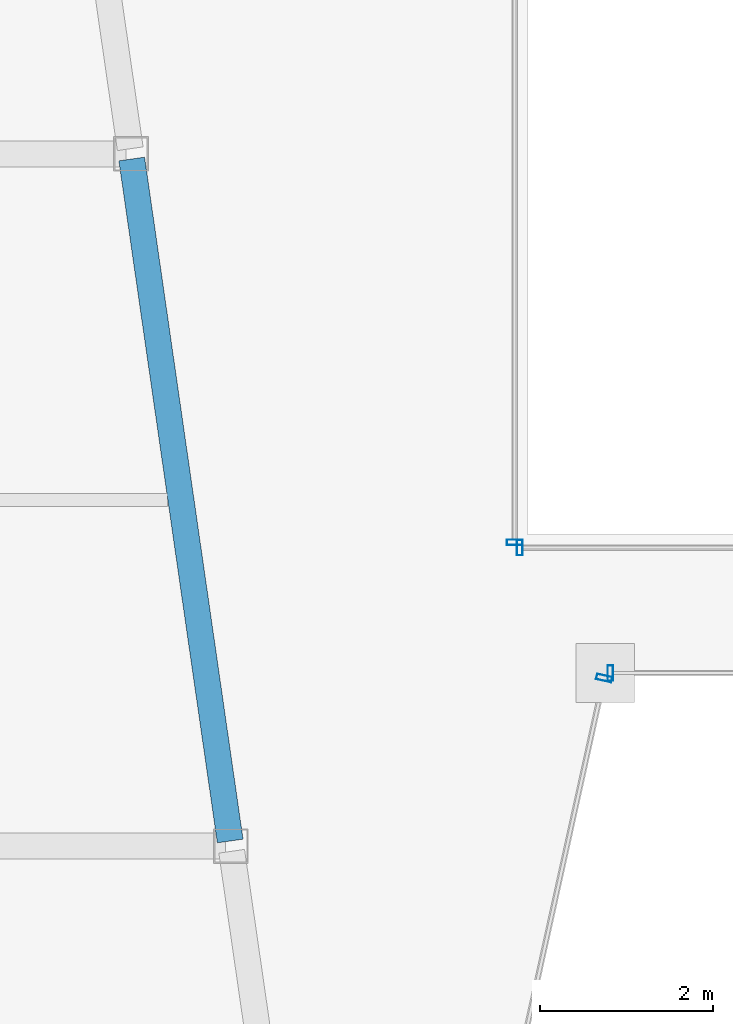
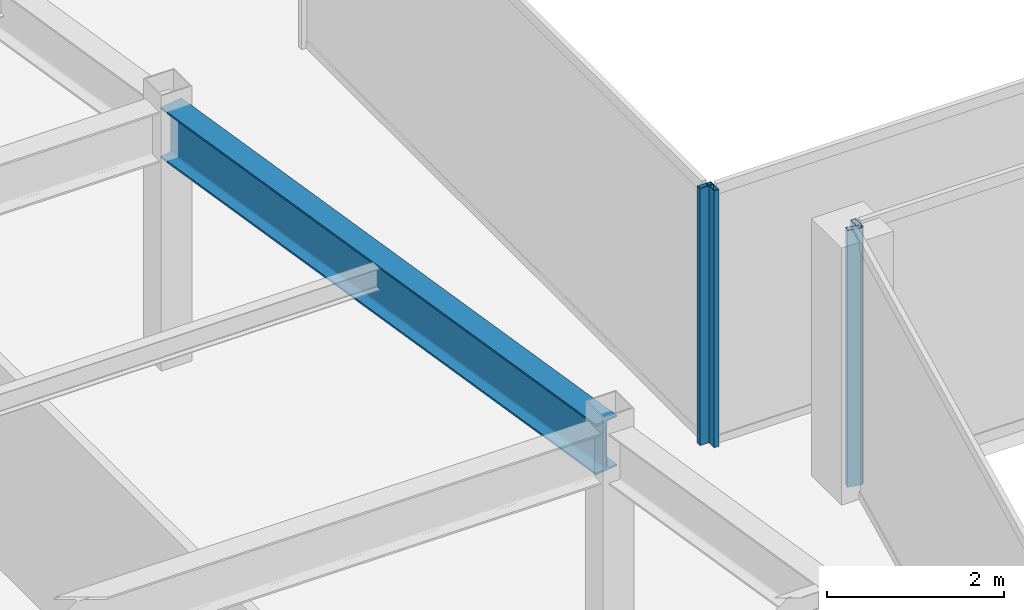
# One storey, part 7 of 35: 4 members, 1 beam, 4 elements without a shape of their own.
"""IFC4 building model written with IfcOpenShell, lengths in metres."""

from ifc_helpers import new_model, si_unit, direction, frame, origin, origin_2d, place, context, subcontext, project, spatial, hollow_rectangle, i_section, extrude, material, material_profile, profile_set, type_object, element, aggregate, save


model = new_model("IFC4")

# Units and contexts
model_context = context("Model", 3, precision=1e-05, world=origin(), true_north=direction((0.0, 1.0)))
body_context = subcontext(model_context, "Body", "Model", "MODEL_VIEW")
ifc_project = project(units=[si_unit("LENGTHUNIT", "METRE"), si_unit("AREAUNIT", "SQUARE_METRE"), si_unit("VOLUMEUNIT", "CUBIC_METRE"), si_unit("PLANEANGLEUNIT", "RADIAN"), si_unit("MASSUNIT", "GRAM", prefix="KILO")], contexts=[model_context])

# Site, building, storey
site_placement = place(None, origin())
site = spatial("IfcSite", under=ifc_project, at=site_placement, CompositionType="ELEMENT")
building_placement = place(site_placement, origin())
building = spatial("IfcBuilding", under=site, at=building_placement, Name="Saevonmaru Cultural Tower", CompositionType="ELEMENT")
storey_placement = place(building_placement, frame((0.0, 0.0, 213.199951171875)))
storey = spatial("IfcBuildingStorey", under=building, at=storey_placement, Name="L49", CompositionType="ELEMENT", Elevation=213.199951171875)

# Beam
ifc_material_1 = material(Name="Steel SM355", Category="steel")
ifc_material_profile_1 = material_profile(ifc_material_1, i_section(OverallWidth=0.300048828125, OverallDepth=0.699951171875, WebThickness=0.012939453125, FlangeThickness=0.02392578125, FilletRadius=0.02587890625, at=origin_2d()), Name="H-700x300x13x24")
ifc_profile_set_1 = profile_set([ifc_material_profile_1], Name="Steel SM355")
beam_type = type_object("IfcBeamType", Name="BM-G-H700", PredefinedType="BEAM", material=ifc_profile_set_1)
beam_placement = place(storey_placement, frame((20.763427734375, 24.059326171875, 3.199951171875), z_axis=(-0.142902032203, 0.989736838353, 0.0), x_axis=(-0.989736838353, -0.142902032203, 0.0)))
element("IfcBeam", 1, at=beam_placement, inside=storey, type_object=beam_type, Name="L49 West Atrium Girder 2", PredefinedType="BEAM", context=body_context, shape_type="SweptSolid", body=[
    extrude(i_section(OverallWidth=0.300048828125, OverallDepth=0.699951171875, WebThickness=0.012939453125, FlangeThickness=0.02392578125, FilletRadius=0.02587890625, at=origin_2d()), origin(), (0.0, 0.0, 1.0), 7.963134765625),
])

# Curtain wall, member
ifc_material_2 = material(Name="Satin Bronze Anodised Aluminium", Category="aluminium")
curtain_wall_type_1 = type_object("IfcCurtainWallType", Name="CW-TYP-B", PredefinedType="NOTDEFINED", material=ifc_material_2)
curtain_wall_1_placement = place(storey_placement, origin())
curtain_wall_1 = element("IfcCurtainWall", 2, at=curtain_wall_1_placement, inside=storey, type_object=curtain_wall_type_1, Name="L49 Unitised Curtain Wall E3", PredefinedType="NOTDEFINED")
ifc_material_profile_2 = material_profile(ifc_material_2, hollow_rectangle(XDim=0.06494140625, YDim=0.179931640625, WallThickness=0.00390625, at=origin_2d()), Name="ALU-MULL-180x65x4")
ifc_profile_set_2 = profile_set([ifc_material_profile_2], Name="Satin Bronze Anodised Aluminium")
member_type_1 = type_object("IfcMemberType", Name="ML-CW-180x65", PredefinedType="MULLION", material=ifc_profile_set_2)
member_1_placement = place(storey_placement, frame((25.0849609375, 25.94140625, 0.0), z_axis=(0.0, 0.0, 1.0), x_axis=(0.215413319953, 0.976522965212, 0.0)))
member_1 = element("IfcMember", 3, at=member_1_placement, type_object=member_type_1, Name="CW-TW-L49-E3 mullion 2", PredefinedType="MULLION", context=body_context, shape_type="SweptSolid", body=[
    extrude(hollow_rectangle(XDim=0.06494140625, YDim=0.179931640625, WallThickness=0.00390625, at=origin_2d()), origin(), (0.0, 0.0, 1.0), 3.550048828125),
])
aggregate(curtain_wall_1, [member_1])

curtain_wall_2_placement = place(storey_placement, origin())
curtain_wall_2 = element("IfcCurtainWall", 4, at=curtain_wall_2_placement, inside=storey, type_object=curtain_wall_type_1, Name="L49 Unitised Curtain Wall E4", PredefinedType="NOTDEFINED")
member_2_placement = place(storey_placement, frame((25.15771484375, 26.0, 0.0), z_axis=(0.0, 0.0, 1.0), x_axis=(1.0, 0.0, 0.0)))
member_2 = element("IfcMember", 5, at=member_2_placement, type_object=member_type_1, Name="CW-TW-L49-E4 mullion 1", PredefinedType="MULLION", context=body_context, shape_type="SweptSolid", body=[
    extrude(hollow_rectangle(XDim=0.06494140625, YDim=0.179931640625, WallThickness=0.00390625, at=origin_2d()), origin(), (0.0, 0.0, 1.0), 3.550048828125),
])
aggregate(curtain_wall_2, [member_2])

curtain_wall_type_2 = type_object("IfcCurtainWallType", Name="CW-ATR-GLZ", PredefinedType="NOTDEFINED", material=ifc_material_2)
curtain_wall_3_placement = place(storey_placement, origin())
curtain_wall_3 = element("IfcCurtainWall", 6, at=curtain_wall_3_placement, inside=storey, type_object=curtain_wall_type_2, Name="L49 Vertical Atrium Glazed Smoke Screen 1", PredefinedType="NOTDEFINED")
ifc_material_profile_3 = material_profile(ifc_material_2, hollow_rectangle(XDim=0.06494140625, YDim=0.179931640625, WallThickness=0.00390625, at=origin_2d()), Name="ALU-MULL-180x65x4")
ifc_profile_set_3 = profile_set([ifc_material_profile_3], Name="Satin Bronze Anodised Aluminium")
member_type_2 = type_object("IfcMemberType", Name="ML-CW-INT-180x65", PredefinedType="MULLION", material=ifc_profile_set_3)
member_3_placement = place(storey_placement, frame((24.110107421875, 27.449951171875, 0.0), z_axis=(0.0, 0.0, 1.0), x_axis=(1.0, 0.0, 0.0)))
member_3 = element("IfcMember", 7, at=member_3_placement, type_object=member_type_2, Name="CW-ATR-L49-1 mullion 1", PredefinedType="MULLION", context=body_context, shape_type="SweptSolid", body=[
    extrude(hollow_rectangle(XDim=0.06494140625, YDim=0.179931640625, WallThickness=0.00390625, at=origin_2d()), origin(), (0.0, 0.0, 1.0), 3.550048828125),
])
aggregate(curtain_wall_3, [member_3])

curtain_wall_4_placement = place(storey_placement, origin())
curtain_wall_4 = element("IfcCurtainWall", 8, at=curtain_wall_4_placement, inside=storey, type_object=curtain_wall_type_2, Name="L49 Vertical Atrium Glazed Smoke Screen 4", PredefinedType="NOTDEFINED")
member_4_placement = place(storey_placement, frame((24.050048828125, 27.510009765625, 0.0), z_axis=(0.0, 0.0, 1.0), x_axis=(0.0, -1.0, 0.0)))
member_4 = element("IfcMember", 9, at=member_4_placement, type_object=member_type_2, Name="CW-ATR-L49-4 mullion 2", PredefinedType="MULLION", context=body_context, shape_type="SweptSolid", body=[
    extrude(hollow_rectangle(XDim=0.06494140625, YDim=0.179931640625, WallThickness=0.00390625, at=origin_2d()), origin(), (0.0, 0.0, 1.0), 3.550048828125),
])
aggregate(curtain_wall_4, [member_4])

save(model, "model.ifc")
